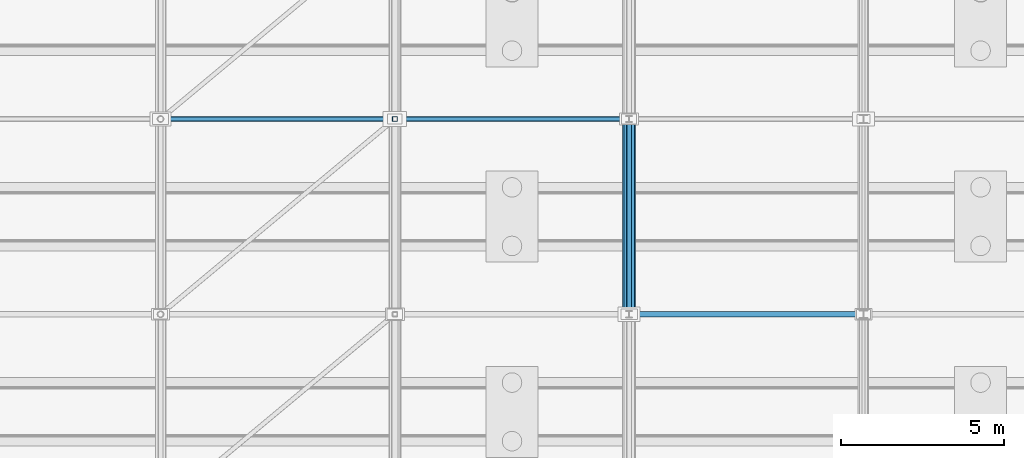
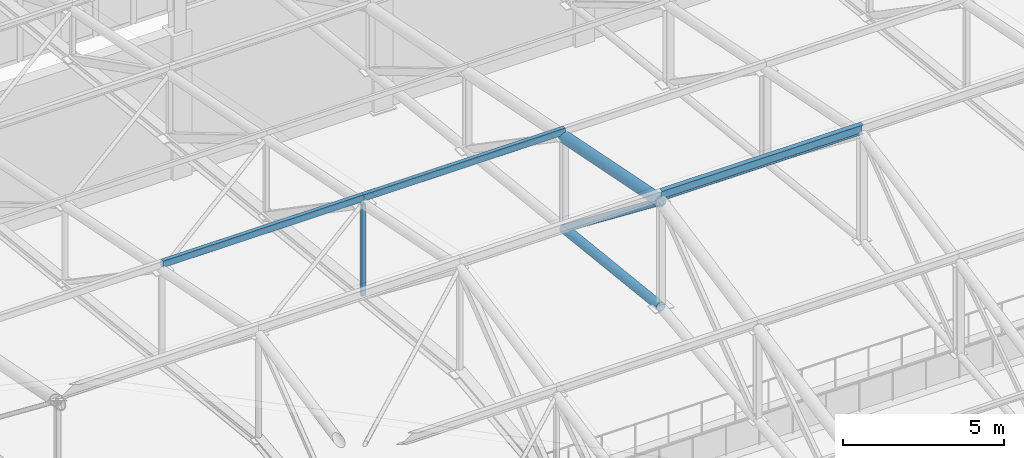
# One storey, part 149 of 293: 7 members.
"""IFC4 building model written with IfcOpenShell, lengths in metres."""

import ifcopenshell
import ifcopenshell.guid

model = None  # the IFC model being written
_history = None  # IfcOwnerHistory: only IFC2X3 demands one
_inside = {}  # id of a spatial element -> (the spatial element, [elements in it])
_under = {}  # id of a project, library or spatial element -> (it, [spatial elements below it])
_declared = {}  # id of a project -> (the project, [libraries it declares])
_typed = {}  # id of a type object -> (the type object, [elements of that type])
_made_of = {}  # id of a material, layer set ... -> (it, [elements and type objects made of it])


def new_model(schema):
    """Start an empty IFC model of exactly this schema.

    Asked for "IFC4X3", IfcOpenShell would pick the latest addendum, in which some entities
    have other attributes; the version numbers below select the first issue.
    IFC2X3 requires an IfcOwnerHistory on every rooted entity: one is made here for all.
    """
    global model, _history
    if schema == "IFC4X3":
        model = ifcopenshell.file(schema_version=(4, 3, 0, 0))
    else:
        model = ifcopenshell.file(schema=schema)
    _inside.clear()
    _under.clear()
    _declared.clear()
    _typed.clear()
    _made_of.clear()
    _history = None
    if model.schema == "IFC2X3":
        org = make("IfcOrganization", Name="unknown")
        user = make(
            "IfcPersonAndOrganization",
            ThePerson=make("IfcPerson", FamilyName="unknown"),
            TheOrganization=org,
        )
        app = make(
            "IfcApplication",
            ApplicationDeveloper=org,
            Version="unknown",
            ApplicationFullName="unknown",
            ApplicationIdentifier="unknown",
        )
        _history = make(
            "IfcOwnerHistory",
            OwningUser=user,
            OwningApplication=app,
            ChangeAction="ADDED",
            CreationDate=0,
        )
    return model


def make(cls, **values):
    """One entity of the class cls with the attributes given. An attribute that is None is left unset."""
    return model.create_entity(
        cls, **{name: value for name, value in values.items() if value is not None}
    )


def rooted(cls, **values):
    """An entity with a GlobalId (a new one), such as an element, a storey or a relation."""
    return make(cls, GlobalId=ifcopenshell.guid.new(), OwnerHistory=_history, **values)


def si_unit(unit_type, name, prefix=None):
    """IfcSIUnit, for example si_unit("LENGTHUNIT", "METRE", prefix="MILLI")."""
    return make("IfcSIUnit", UnitType=unit_type, Prefix=prefix, Name=name)


def assignment(units):
    """IfcUnitAssignment: the units of a project."""
    return None if units is None else make("IfcUnitAssignment", Units=units)


def point(xyz):
    """IfcCartesianPoint."""
    return None if xyz is None else make("IfcCartesianPoint", Coordinates=xyz)


def direction(xyz):
    """IfcDirection."""
    return None if xyz is None else make("IfcDirection", DirectionRatios=xyz)


def frame(location, z_axis=None, x_axis=None):
    """IfcAxis2Placement3D, a coordinate frame: its origin and axes. An axis left out is left unset."""
    return make(
        "IfcAxis2Placement3D",
        Location=point(location),
        Axis=direction(z_axis),
        RefDirection=direction(x_axis),
    )


def frame_2d(location, x_axis=None):
    """IfcAxis2Placement2D, a coordinate frame in the plane: its origin and x axis."""
    return make(
        "IfcAxis2Placement2D", Location=point(location), RefDirection=direction(x_axis)
    )


def origin():
    """The frame at (0, 0, 0) with its axes left unset."""
    return frame((0.0, 0.0, 0.0))


def origin_2d():
    """The frame at (0, 0) in the plane with its x axis left unset."""
    return frame_2d((0.0, 0.0))


def place(relative_to, where):
    """IfcLocalPlacement: puts the frame where relative to a parent placement (None: the world)."""
    return make(
        "IfcLocalPlacement", PlacementRelTo=relative_to, RelativePlacement=where
    )


def context(
    kind, dimensions, precision=None, world=None, true_north=None, identifier=None
):
    """IfcGeometricRepresentationContext, for example the 3D "Model" context."""
    return make(
        "IfcGeometricRepresentationContext",
        ContextIdentifier=identifier,
        ContextType=kind,
        CoordinateSpaceDimension=dimensions,
        Precision=precision,
        WorldCoordinateSystem=world,
        TrueNorth=true_north,
    )


def subcontext(parent, identifier, kind, view, scale=None):
    """IfcGeometricRepresentationSubContext, for example "Body" below "Model"."""
    return make(
        "IfcGeometricRepresentationSubContext",
        ContextIdentifier=identifier,
        ContextType=kind,
        ParentContext=parent,
        TargetScale=scale,
        TargetView=view,
    )


def project(units=None, contexts=None):
    """IfcProject with its units and contexts."""
    return rooted(
        "IfcProject",
        Name="project",
        RepresentationContexts=contexts,
        UnitsInContext=assignment(units),
    )


def spatial(cls, under=None, at=None, **own):
    """A site, building, storey or space (cls), placed at a placement, below another one or the project."""
    s = rooted(cls, ObjectPlacement=at, **own)
    if under is not None:
        _under.setdefault(under.id(), (under, []))[1].append(s)
    return s


def profile(cls, at=None, kind="AREA", **sizes):
    """A parametric profile (cls). Its sizes go by their IFC names, for example OverallWidth=200.0."""
    return make(cls, ProfileType=kind, Position=at, **sizes)


def hollow_rectangle(**sizes):
    """IfcRectangleHollowProfileDef."""
    return profile("IfcRectangleHollowProfileDef", **sizes)


def hollow_circle(**sizes):
    """IfcCircleHollowProfileDef."""
    return profile("IfcCircleHollowProfileDef", **sizes)


def i_section(**sizes):
    """IfcIShapeProfileDef."""
    return profile("IfcIShapeProfileDef", **sizes)


def extrude(swept, where, along, depth):
    """IfcExtrudedAreaSolid: the profile swept, set in the frame where, extruded along a direction by depth."""
    return make(
        "IfcExtrudedAreaSolid",
        SweptArea=swept,
        Position=where,
        ExtrudedDirection=direction(along),
        Depth=depth,
    )


def shape(context_of_items, identifier, shape_type, items):
    """IfcShapeRepresentation: the items that make up one representation, for example the "Body"."""
    return make(
        "IfcShapeRepresentation",
        ContextOfItems=context_of_items,
        RepresentationIdentifier=identifier,
        RepresentationType=shape_type,
        Items=items,
    )


def material(Name=None, Category=None):
    """IfcMaterial."""
    return make("IfcMaterial", Name=Name, Category=Category)


def material_profile(
    of_material, cross_section, Name=None, Category=None, Priority=None
):
    """IfcMaterialProfile: a cross section and its material."""
    return make(
        "IfcMaterialProfile",
        Name=Name,
        Material=of_material,
        Profile=cross_section,
        Priority=Priority,
        Category=Category,
    )


def profile_set(profiles, Name=None, composite=None):
    """IfcMaterialProfileSet."""
    return make(
        "IfcMaterialProfileSet",
        Name=Name,
        MaterialProfiles=profiles,
        CompositeProfile=composite,
    )


def made_of(thing, what):
    """Note that an element or type object is made of a material, layer set ...; save() writes the relation."""
    if what is not None:
        _made_of.setdefault(what.id(), (what, []))[1].append(thing)
    return thing


def type_object(cls, material=None, **own):
    """A type object (cls), such as IfcWallType, which elements share."""
    return made_of(rooted(cls, **own), material)


def element(
    cls,
    number,
    at=None,
    inside=None,
    cuts=None,
    type_object=None,
    material=None,
    context=None,
    identifier="Body",
    shape_type=None,
    held_by="IfcProductDefinitionShape",
    body=None,
    shapes=None,
    **own,
):
    """One element of the class cls, such as IfcWall. Its Tag is "e" and its number.

    at: its placement. inside: the storey or other place that contains it. cuts: it is an
    opening in that element (IfcRelVoidsElement). A single representation is given by context,
    identifier, shape_type and body (its items); several are given by shapes. held_by: the class
    of the entity that holds the representations. save() writes the other relations.
    """
    e = rooted(cls, Tag="e%d" % number, ObjectPlacement=at, **own)
    if body is not None:
        shapes = [shape(context, identifier, shape_type, body)]
    if shapes is not None:
        e.Representation = make(held_by, Representations=shapes)
    if inside is not None:
        _inside.setdefault(inside.id(), (inside, []))[1].append(e)
    if cuts is not None:
        rooted(
            "IfcRelVoidsElement", RelatingBuildingElement=cuts, RelatedOpeningElement=e
        )
    if type_object is not None:
        _typed.setdefault(type_object.id(), (type_object, []))[1].append(e)
    return made_of(e, material)


def aggregate(whole, parts):
    """IfcRelAggregates: a whole, such as a stair, and the parts it consists of."""
    return rooted("IfcRelAggregates", RelatingObject=whole, RelatedObjects=parts)


def save(model, path):
    """Write the relations noted so far, then the file.

    IfcRelAggregates (storeys below a building ...), IfcRelContainedInSpatialStructure (elements
    in a storey), IfcRelDefinesByType, IfcRelAssociatesMaterial and IfcRelDeclares: one each for
    every whole, place, type object, material and project.
    """
    for whole, parts in _under.values():
        aggregate(whole, parts)
    for where, things in _inside.values():
        rooted(
            "IfcRelContainedInSpatialStructure",
            RelatedElements=things,
            RelatingStructure=where,
        )
    for kind, things in _typed.values():
        rooted("IfcRelDefinesByType", RelatedObjects=things, RelatingType=kind)
    for what, things in _made_of.values():
        rooted("IfcRelAssociatesMaterial", RelatedObjects=things, RelatingMaterial=what)
    for by, libraries in _declared.values():
        rooted("IfcRelDeclares", RelatingContext=by, RelatedDefinitions=libraries)
    model.write(path)


model = new_model("IFC4")

# Units and contexts
model_context = context("Model", 3, precision=1e-05, world=origin(), true_north=direction((0.0, 1.0)))
body_context = subcontext(model_context, "Body", "Model", "MODEL_VIEW")
ifc_project = project(units=[si_unit("LENGTHUNIT", "METRE"), si_unit("AREAUNIT", "SQUARE_METRE"), si_unit("VOLUMEUNIT", "CUBIC_METRE"), si_unit("PLANEANGLEUNIT", "RADIAN"), si_unit("MASSUNIT", "GRAM", prefix="KILO")], contexts=[model_context])

# Site, building, storey
site_placement = place(None, origin())
site = spatial("IfcSite", under=ifc_project, at=site_placement, CompositionType="ELEMENT")
building_placement = place(site_placement, origin())
building = spatial("IfcBuilding", under=site, at=building_placement, Name="Kemerveld Promenade Tramway Depot", CompositionType="ELEMENT")
storey_placement = place(building_placement, origin())
storey = spatial("IfcBuildingStorey", under=building, at=storey_placement, Name="L00", CompositionType="ELEMENT", Elevation=0.0)

# Members
ifc_material = material(Name="Steel S355", Category="steel")
ifc_material_profile_1 = material_profile(ifc_material, hollow_rectangle(XDim=0.14990234375, YDim=0.25, WallThickness=0.010009765625, InnerFilletRadius=0.0048828125, OuterFilletRadius=0.014892578125, at=origin_2d()), Name="250x150x10.0 RHS")
ifc_profile_set_1 = profile_set([ifc_material_profile_1], Name="Steel S355")
member_type_1 = type_object("IfcMemberType", Name="MB-M02", PredefinedType="BRACE", material=ifc_profile_set_1)
member_1_placement = place(storey_placement, frame((122.39990234375, 120.0, 12.43994140625), z_axis=(0.0, -0.789767329101, 0.613406525793), x_axis=(1.0, 0.0, 0.0)))
element("IfcMember", 1, at=member_1_placement, inside=storey, type_object=member_type_1, Name="TR-18-DG-06", PredefinedType="BRACE", context=body_context, shape_type="SweptSolid", body=[
    extrude(hollow_rectangle(XDim=0.14990234375, YDim=0.25, WallThickness=0.010009765625, InnerFilletRadius=0.0048828125, OuterFilletRadius=0.014892578125, at=origin_2d()), origin(), (0.0, 0.0, 1.0), 7.59716796875),
])
ifc_material_profile_2 = material_profile(ifc_material, i_section(OverallWidth=0.172119140625, OverallDepth=0.35791015625, WebThickness=0.008056640625, FlangeThickness=0.012939453125, FilletRadius=0.01025390625, at=origin_2d()), Name="356x171x57 UB")
ifc_profile_set_2 = profile_set([ifc_material_profile_2], Name="Steel S355")
member_type_2 = type_object("IfcMemberType", Name="MB-M07", PredefinedType="PURLIN", material=ifc_profile_set_2)
member_2_placement = place(storey_placement, frame((122.39990234375, 114.0, 17.344970703125), z_axis=(1.0, 0.0, 0.0), x_axis=(0.0, 1.0, 0.0)))
element("IfcMember", 2, at=member_2_placement, inside=storey, type_object=member_type_2, Name="PUR-V1-05-18", PredefinedType="PURLIN", context=body_context, shape_type="SweptSolid", body=[
    extrude(i_section(OverallWidth=0.172119140625, OverallDepth=0.35791015625, WebThickness=0.008056640625, FlangeThickness=0.012939453125, FilletRadius=0.01025390625, at=origin_2d()), origin(), (0.0, 0.0, 1.0), 7.2001953125),
])
ifc_material_profile_3 = material_profile(ifc_material, hollow_rectangle(XDim=0.14990234375, YDim=0.25, WallThickness=0.010009765625, InnerFilletRadius=0.0048828125, OuterFilletRadius=0.014892578125, at=origin_2d()), Name="250x150x10.0 RHS")
ifc_profile_set_3 = profile_set([ifc_material_profile_3], Name="Steel S355")
member_type_3 = type_object("IfcMemberType", Name="MB-PR1", PredefinedType="PURLIN", material=ifc_profile_set_3)
for number, where, z_axis, x_axis, name in (
    (3, (108.0, 120.0, 16.14501953125), (1.0, 0.0, 0.0), (0.0, 1.0, 0.0), "PUR-V1-06-16"),
    (4, (115.199951171875, 120.0, 16.14501953125), (1.0, 0.0, 0.0), (0.0, 1.0, 0.0), "PUR-V1-06-17"),
):
    element("IfcMember", number, at=place(storey_placement, frame(where, z_axis=z_axis, x_axis=x_axis)), inside=storey, type_object=member_type_3, Name=name, PredefinedType="PURLIN", context=body_context, shape_type="SweptSolid", body=[
        extrude(hollow_rectangle(XDim=0.14990234375, YDim=0.25, WallThickness=0.010009765625, InnerFilletRadius=0.0048828125, OuterFilletRadius=0.014892578125, at=origin_2d()), origin(), (0.0, 0.0, 1.0), 7.199951171875),
    ])
ifc_material_profile_4 = material_profile(ifc_material, hollow_circle(Radius=0.203125, WallThickness=0.01611328125, at=origin_2d()), Name="406.4x16.0 CHS")
ifc_profile_set_4 = profile_set([ifc_material_profile_4], Name="Steel S355")
member_type_4 = type_object("IfcMemberType", Name="MB-TC1", PredefinedType="CHORD", material=ifc_profile_set_4)
member_3_placement = place(storey_placement, frame((122.39990234375, 114.0, 17.10009765625), z_axis=(0.0, 0.980574536798, -0.196146827104), x_axis=(-1.0, 0.0, 0.0)))
element("IfcMember", 5, at=member_3_placement, inside=storey, type_object=member_type_4, Name="TR-18-TC-06", PredefinedType="CHORD", context=body_context, shape_type="SweptSolid", body=[
    extrude(hollow_circle(Radius=0.203125, WallThickness=0.01611328125, at=origin_2d()), origin(), (0.0, 0.0, 1.0), 6.118896484375),
])
ifc_material_profile_5 = material_profile(ifc_material, hollow_circle(Radius=0.161865234375, WallThickness=0.012451171875, at=origin_2d()), Name="323.9x12.5 CHS")
ifc_profile_set_5 = profile_set([ifc_material_profile_5], Name="Steel S355")
member_type_5 = type_object("IfcMemberType", Name="MB-TC2", PredefinedType="CHORD", material=ifc_profile_set_5)
member_4_placement = place(storey_placement, frame((122.39990234375, 114.0, 13.10009765625), z_axis=(0.0, 0.994001542248, -0.109366055104), x_axis=(-1.0, 0.0, 0.0)))
element("IfcMember", 6, at=member_4_placement, inside=storey, type_object=member_type_5, Name="TR-18-BC-06", PredefinedType="CHORD", context=body_context, shape_type="SweptSolid", body=[
    extrude(hollow_circle(Radius=0.161865234375, WallThickness=0.012451171875, at=origin_2d()), origin(), (0.0, 0.0, 1.0), 6.0361328125),
])
ifc_material_profile_6 = material_profile(ifc_material, hollow_rectangle(XDim=0.14990234375, YDim=0.14990234375, WallThickness=0.008056640625, InnerFilletRadius=0.00390625, OuterFilletRadius=0.011962890625, at=origin_2d()), Name="150x150x8.0 SHS")
ifc_profile_set_6 = profile_set([ifc_material_profile_6], Name="Steel S355")
member_type_6 = type_object("IfcMemberType", Name="MB-TP2", PredefinedType="POST", material=ifc_profile_set_6)
member_5_placement = place(storey_placement, frame((115.199951171875, 120.0, 12.43994140625), z_axis=(0.0, 0.0, 1.0), x_axis=(1.0, 0.0, 0.0)))
element("IfcMember", 7, at=member_5_placement, inside=storey, type_object=member_type_6, Name="TR-17-VT-06", PredefinedType="POST", context=body_context, shape_type="SweptSolid", body=[
    extrude(hollow_rectangle(XDim=0.14990234375, YDim=0.14990234375, WallThickness=0.008056640625, InnerFilletRadius=0.00390625, OuterFilletRadius=0.011962890625, at=origin_2d()), origin(), (0.0, 0.0, 1.0), 3.4599609375),
])

save(model, "model.ifc")
